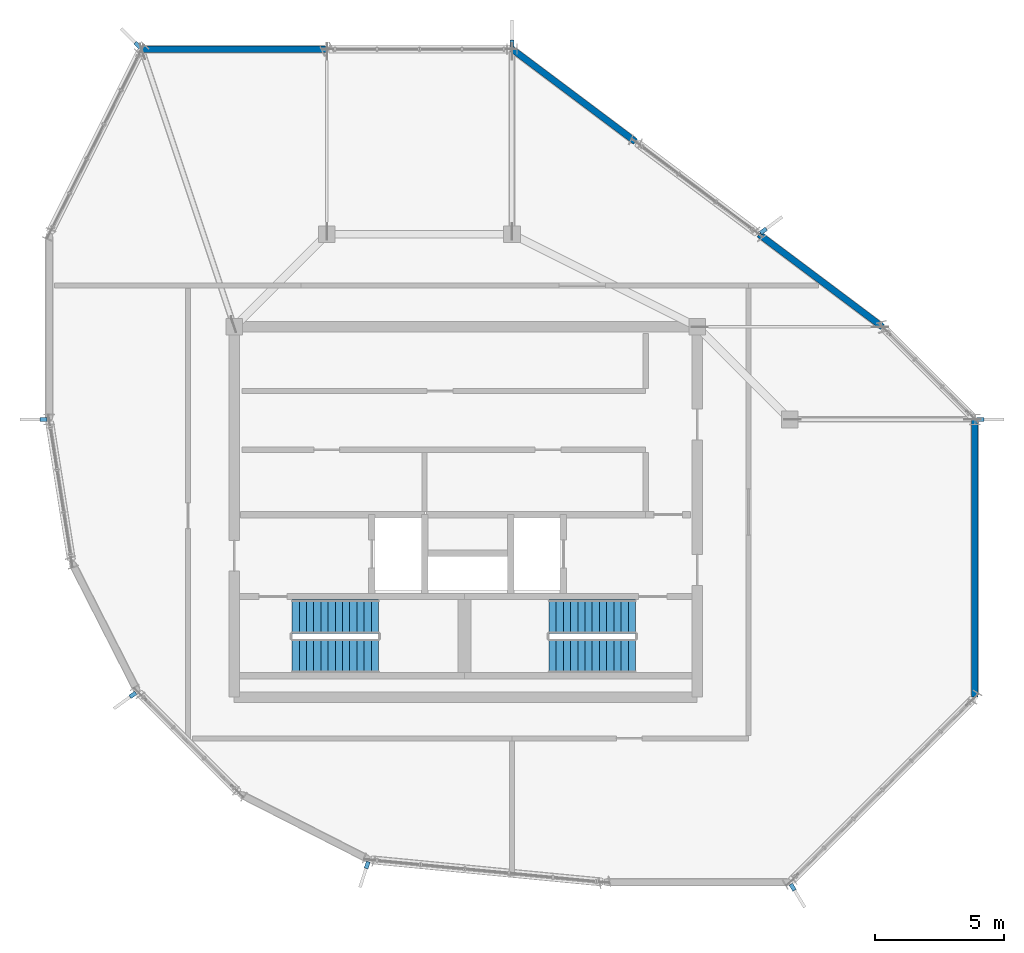
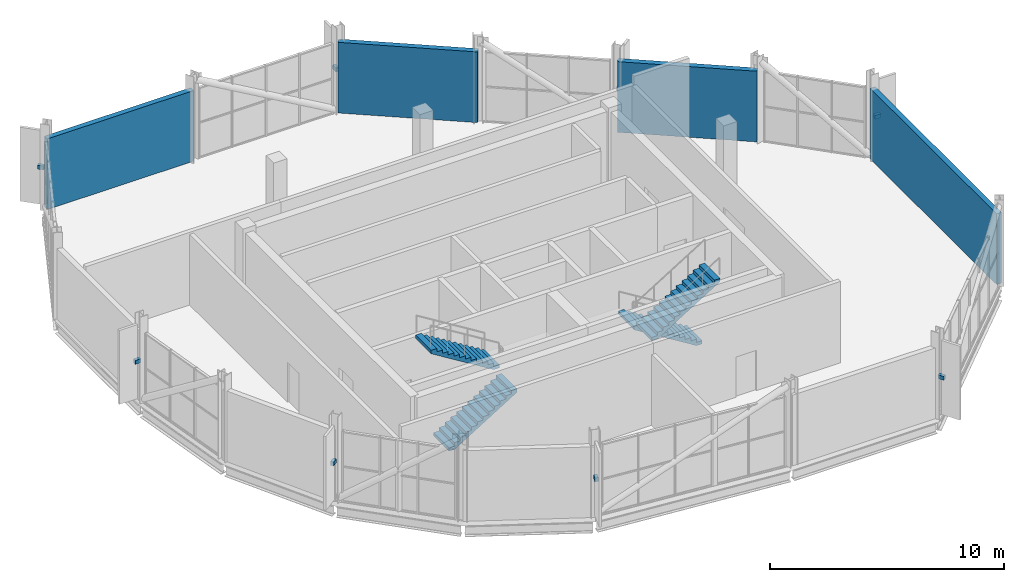
# One storey, part 20 of 22: 8 discrete accessories, 4 stair flights, 4 walls, 2 elements without a shape of their own.
"""IFC4 building model written with IfcOpenShell, lengths in metres."""

from ifc_helpers import new_model, si_unit, direction, frame, frame_2d, origin, origin_2d, place, context, subcontext, project, spatial, polyline, rectangle, outline, extrude, material, layer, layer_set, type_object, element, aggregate, save


model = new_model("IFC4")

# Units and contexts
model_context = context("Model", 3, precision=1e-05, world=origin(), true_north=direction((0.0, 1.0)))
body_context = subcontext(model_context, "Body", "Model", "MODEL_VIEW")
ifc_project = project(units=[si_unit("LENGTHUNIT", "METRE"), si_unit("AREAUNIT", "SQUARE_METRE"), si_unit("VOLUMEUNIT", "CUBIC_METRE"), si_unit("PLANEANGLEUNIT", "RADIAN"), si_unit("MASSUNIT", "GRAM", prefix="KILO")], contexts=[model_context])

# Site, building, storey
site_placement = place(None, origin())
site = spatial("IfcSite", under=ifc_project, at=site_placement, CompositionType="ELEMENT")
building_placement = place(site_placement, origin())
building = spatial("IfcBuilding", under=site, at=building_placement, Name="Solnavia Interchange Tower", CompositionType="ELEMENT")
storey_placement = place(building_placement, frame((0.0, 0.0, 308.699951171875)))
storey = spatial("IfcBuildingStorey", under=building, at=storey_placement, Name="C02", CompositionType="ELEMENT", Elevation=308.699951171875)

# Walls
ifc_material_1 = material(Name="Concrete C40/50", Category="concrete")
ifc_layer = layer(ifc_material_1, 0.25)
ifc_layer_set = layer_set([ifc_layer], Name="Concrete C40/50")
wall_type = type_object("IfcWallType", Name="Wall-ExtSpandrel-250", PredefinedType="STANDARD", material=ifc_layer_set)
for number, where, z_axis, x_axis, name in (
    (1, (39.60009765625, 25.199951171875, 0.0), (0.0, 0.0, 1.0), (-0.79999511724, 0.600006510291, 0.0), "EXW-C02-R02 Crown ring facade panel"),
    (2, (30.0, 32.39990234375, 0.0), (0.0, 0.0, 1.0), (-0.79999511724, 0.600006510291, 0.0), "EXW-C02-R04 Crown ring facade panel"),
):
    element("IfcWall", number, at=place(storey_placement, frame(where, z_axis=z_axis, x_axis=x_axis)), inside=storey, type_object=wall_type, Name=name, PredefinedType="STANDARD", context=body_context, shape_type="SweptSolid", body=[
        extrude(rectangle(XDim=6.0, YDim=0.25, at=frame_2d((3.0, 0.0))), origin(), (0.0, 0.0, 1.0), 3.679931640625),
    ])
wall_1_placement = place(storey_placement, frame((18.0, 36.0, 0.0), z_axis=(0.0, 0.0, 1.0), x_axis=(-1.0, 0.0, 0.0)))
element("IfcWall", 3, at=wall_1_placement, inside=storey, type_object=wall_type, Name="EXW-C02-R06 Crown ring facade panel", PredefinedType="STANDARD", context=body_context, shape_type="SweptSolid", body=[
    extrude(rectangle(XDim=7.199951171875, YDim=0.25, at=frame_2d((3.60009765625, 0.0))), origin(), (0.0, 0.0, 1.0), 3.679931640625),
])
wall_2_placement = place(storey_placement, frame((43.199951171875, 10.800048828125, 0.0), z_axis=(0.0, 0.0, 1.0), x_axis=(0.0, 1.0, 0.0)))
element("IfcWall", 4, at=wall_2_placement, inside=storey, type_object=wall_type, Name="EXW-C02-R16 Crown ring facade panel", PredefinedType="STANDARD", context=body_context, shape_type="SweptSolid", body=[
    extrude(rectangle(XDim=10.800048828125, YDim=0.25, at=frame_2d((5.39990234375, 0.0))), origin(), (0.0, 0.0, 1.0), 3.679931640625),
])

# Stair, stair flights
stair_type = type_object("IfcStairType", Name="Stair-Dogleg-RC", PredefinedType="HALF_TURN_STAIR", material=ifc_material_1)
stair_1_placement = place(storey_placement, origin())
stair_1 = element("IfcStair", 5, at=stair_1_placement, inside=storey, type_object=stair_type, Name="C02 Core exit stair 1", PredefinedType="HALF_TURN_STAIR")
stair_flight_type = type_object("IfcStairFlightType", Name="StairFlight-RC-150", PredefinedType="STRAIGHT", material=ifc_material_1)
stair_flight_1_placement = place(storey_placement, frame((16.64990234375, 12.409912109375, 0.0), z_axis=(0.0, 0.0, 1.0), x_axis=(1.0, 0.0, 0.0)))
stair_flight_1 = element("IfcStairFlight", 6, at=stair_flight_1_placement, type_object=stair_flight_type, Name="ST-1 flight 1", NumberOfRisers=13, NumberOfTreads=12, PredefinedType="STRAIGHT", RiserHeight=0.173076923, TreadLength=0.28, context=body_context, shape_type="SweptSolid", body=[
    extrude(outline(polyline([(0.0, 0.0), (0.0, 0.173095703125), (0.280029296875, 0.173095703125), (0.280029296875, 0.34619140625), (0.56005859375, 0.34619140625), (0.56005859375, 0.519287109375), (0.840087890625, 0.519287109375), (0.840087890625, 0.6923828125), (1.1201171875, 0.6923828125), (1.1201171875, 0.865478515625), (1.39990234375, 0.865478515625), (1.39990234375, 1.03857421875), (1.679931640625, 1.03857421875), (1.679931640625, 1.21142578125), (1.9599609375, 1.21142578125), (1.9599609375, 1.384521484375), (2.239990234375, 1.384521484375), (2.239990234375, 1.5576171875), (2.52001953125, 1.5576171875), (2.52001953125, 1.730712890625), (2.800048828125, 1.730712890625), (2.800048828125, 1.90380859375), (3.080078125, 1.90380859375), (3.080078125, 2.076904296875), (3.360107421875, 2.076904296875), (3.360107421875, 2.25), (3.360107421875, 1.900634765625), (0.28515625, 0.0), (0.0, 0.0)])), frame((0.0, 0.66015625, 0.0), z_axis=(0.0, -1.0, 0.0), x_axis=(1.0, 0.0, 0.0)), (0.0, 0.0, 1.0), 1.320068359375),
])
stair_flight_2_placement = place(storey_placement, frame((20.010009765625, 13.929931640625, 2.25), z_axis=(0.0, 0.0, 1.0), x_axis=(-1.0, 0.0, 0.0)))
stair_flight_2 = element("IfcStairFlight", 7, at=stair_flight_2_placement, type_object=stair_flight_type, Name="ST-1 flight 2", NumberOfRisers=13, NumberOfTreads=12, PredefinedType="STRAIGHT", RiserHeight=0.173076923, TreadLength=0.28, context=body_context, shape_type="SweptSolid", body=[
    extrude(outline(polyline([(0.0, 0.0), (0.0, 0.173095703125), (0.280029296875, 0.173095703125), (0.280029296875, 0.34619140625), (0.56005859375, 0.34619140625), (0.56005859375, 0.519287109375), (0.840087890625, 0.519287109375), (0.840087890625, 0.6923828125), (1.1201171875, 0.6923828125), (1.1201171875, 0.865478515625), (1.39990234375, 0.865478515625), (1.39990234375, 1.03857421875), (1.679931640625, 1.03857421875), (1.679931640625, 1.21142578125), (1.9599609375, 1.21142578125), (1.9599609375, 1.384521484375), (2.239990234375, 1.384521484375), (2.239990234375, 1.5576171875), (2.52001953125, 1.5576171875), (2.52001953125, 1.730712890625), (2.800048828125, 1.730712890625), (2.800048828125, 1.90380859375), (3.080078125, 1.90380859375), (3.080078125, 2.076904296875), (3.360107421875, 2.076904296875), (3.360107421875, 2.25), (3.360107421875, 1.900634765625), (0.28515625, 0.0), (0.0, 0.0)])), frame((0.0, 0.66015625, 0.0), z_axis=(0.0, -1.0, 0.0), x_axis=(1.0, 0.0, 0.0)), (0.0, 0.0, 1.0), 1.320068359375),
])
aggregate(stair_1, [stair_flight_1, stair_flight_2])

stair_2_placement = place(storey_placement, origin())
stair_2 = element("IfcStair", 8, at=stair_2_placement, inside=storey, type_object=stair_type, Name="C02 Core exit stair 2", PredefinedType="HALF_TURN_STAIR")
stair_flight_3_placement = place(storey_placement, frame((30.0, 13.929931640625, 0.0), z_axis=(0.0, 0.0, 1.0), x_axis=(-1.0, 0.0, 0.0)))
stair_flight_3 = element("IfcStairFlight", 9, at=stair_flight_3_placement, type_object=stair_flight_type, Name="ST-2 flight 1", NumberOfRisers=13, NumberOfTreads=12, PredefinedType="STRAIGHT", RiserHeight=0.173076923, TreadLength=0.28, context=body_context, shape_type="SweptSolid", body=[
    extrude(outline(polyline([(0.0, 0.0), (0.0, 0.173095703125), (0.280029296875, 0.173095703125), (0.280029296875, 0.34619140625), (0.56005859375, 0.34619140625), (0.56005859375, 0.519287109375), (0.840087890625, 0.519287109375), (0.840087890625, 0.6923828125), (1.1201171875, 0.6923828125), (1.1201171875, 0.865478515625), (1.39990234375, 0.865478515625), (1.39990234375, 1.03857421875), (1.679931640625, 1.03857421875), (1.679931640625, 1.21142578125), (1.9599609375, 1.21142578125), (1.9599609375, 1.384521484375), (2.239990234375, 1.384521484375), (2.239990234375, 1.5576171875), (2.52001953125, 1.5576171875), (2.52001953125, 1.730712890625), (2.800048828125, 1.730712890625), (2.800048828125, 1.90380859375), (3.080078125, 1.90380859375), (3.080078125, 2.076904296875), (3.360107421875, 2.076904296875), (3.360107421875, 2.25), (3.360107421875, 1.900634765625), (0.28515625, 0.0), (0.0, 0.0)])), frame((0.0, 0.66015625, 0.0), z_axis=(0.0, -1.0, 0.0), x_axis=(1.0, 0.0, 0.0)), (0.0, 0.0, 1.0), 1.320068359375),
])
stair_flight_4_placement = place(storey_placement, frame((26.639892578125, 12.409912109375, 2.25), z_axis=(0.0, 0.0, 1.0), x_axis=(1.0, 0.0, 0.0)))
stair_flight_4 = element("IfcStairFlight", 10, at=stair_flight_4_placement, type_object=stair_flight_type, Name="ST-2 flight 2", NumberOfRisers=13, NumberOfTreads=12, PredefinedType="STRAIGHT", RiserHeight=0.173076923, TreadLength=0.28, context=body_context, shape_type="SweptSolid", body=[
    extrude(outline(polyline([(0.0, 0.0), (0.0, 0.173095703125), (0.280029296875, 0.173095703125), (0.280029296875, 0.34619140625), (0.56005859375, 0.34619140625), (0.56005859375, 0.519287109375), (0.840087890625, 0.519287109375), (0.840087890625, 0.6923828125), (1.1201171875, 0.6923828125), (1.1201171875, 0.865478515625), (1.39990234375, 0.865478515625), (1.39990234375, 1.03857421875), (1.679931640625, 1.03857421875), (1.679931640625, 1.21142578125), (1.9599609375, 1.21142578125), (1.9599609375, 1.384521484375), (2.239990234375, 1.384521484375), (2.239990234375, 1.5576171875), (2.52001953125, 1.5576171875), (2.52001953125, 1.730712890625), (2.800048828125, 1.730712890625), (2.800048828125, 1.90380859375), (3.080078125, 1.90380859375), (3.080078125, 2.076904296875), (3.360107421875, 2.076904296875), (3.360107421875, 2.25), (3.360107421875, 1.900634765625), (0.28515625, 0.0), (0.0, 0.0)])), frame((0.0, 0.66015625, 0.0), z_axis=(0.0, -1.0, 0.0), x_axis=(1.0, 0.0, 0.0)), (0.0, 0.0, 1.0), 1.320068359375),
])
aggregate(stair_2, [stair_flight_3, stair_flight_4])

# Discrete accessories
ifc_material_2 = material(Name="Stainless Steel 1.4401", Category="steel")
discrete_accessory_type = type_object("IfcDiscreteAccessoryType", Name="Bracket-Shade-220", PredefinedType="BRACKET", material=ifc_material_2)
for number, where, z_axis, x_axis, name in (
    (11, (43.419921875, 21.60009765625, 2.02490234375), (0.0, 0.0, 1.0), (1.0, 0.0, 0.0), "BRK-C02-F01 Crown fin mounting bracket"),
    (12, (34.97607421875, 28.931884765625, 2.02490234375), (0.0, 0.0, 1.0), (0.799998928149, 0.600001429133, 0.0), "BRK-C02-F03 Crown fin mounting bracket"),
    (13, (25.199951171875, 36.219970703125, 2.02490234375), (0.0, 0.0, 1.0), (0.0, 1.0, 0.0), "BRK-C02-F05 Crown fin mounting bracket"),
    (14, (10.644287109375, 36.155517578125, 2.02490234375), (0.0, 0.0, 1.0), (-0.707106781187, 0.707106781187, 0.0), "BRK-C02-F07 Crown fin mounting bracket"),
    (15, (6.97998046875, 21.60009765625, 2.02490234375), (0.0, 0.0, 1.0), (-1.0, 0.0, 0.0), "BRK-C02-F09 Crown fin mounting bracket"),
    (16, (10.4599609375, 10.890625, 2.02490234375), (0.0, 0.0, 1.0), (-0.809016994375, -0.587785252292, 0.0), "BRK-C02-F11 Crown fin mounting bracket"),
    (17, (19.570068359375, 4.271728515625, 2.02490234375), (0.0, 0.0, 1.0), (-0.309016994375, -0.951056516295, 0.0), "BRK-C02-F13 Crown fin mounting bracket"),
    (18, (36.11328125, 3.411376953125, 2.02490234375), (0.0, 0.0, 1.0), (0.514439533782, -0.857526656194, 0.0), "BRK-C02-F15 Crown fin mounting bracket"),
):
    element("IfcDiscreteAccessory", number, at=place(storey_placement, frame(where, z_axis=z_axis, x_axis=x_axis)), inside=storey, type_object=discrete_accessory_type, Name=name, PredefinedType="BRACKET", context=body_context, shape_type="SweptSolid", body=[
        extrude(rectangle(XDim=0.280029296875, YDim=0.159912109375, at=origin_2d()), origin(), (0.0, 0.0, 1.0), 0.199951171875),
    ])

save(model, "model.ifc")
